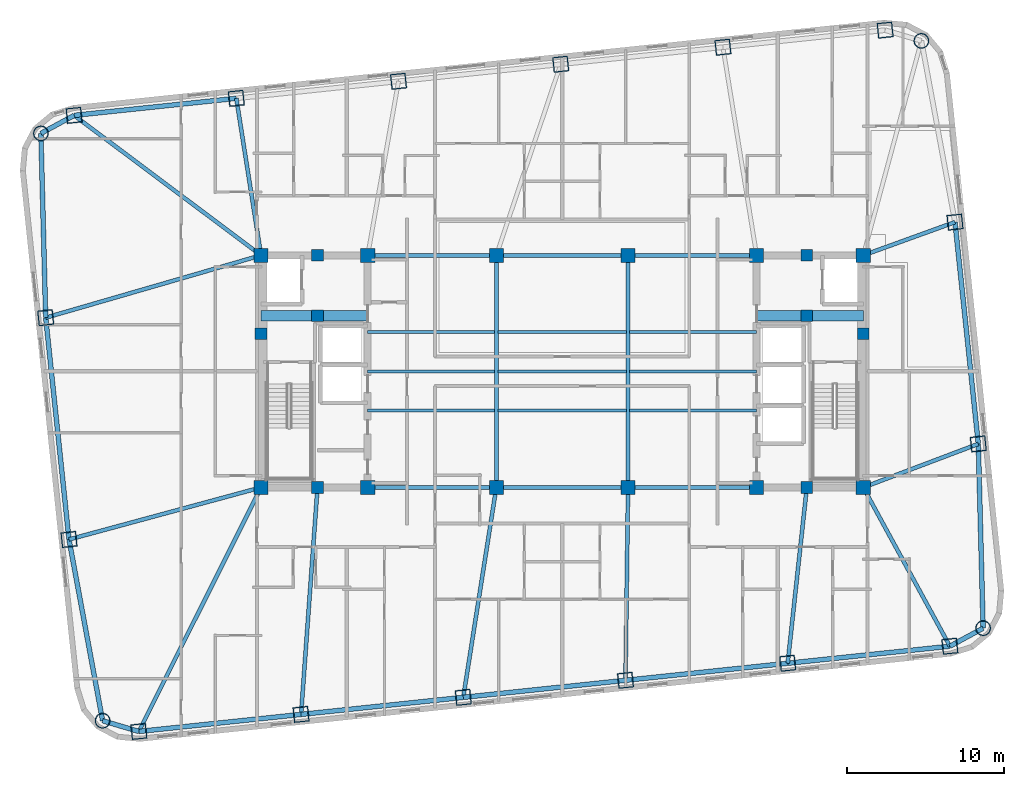
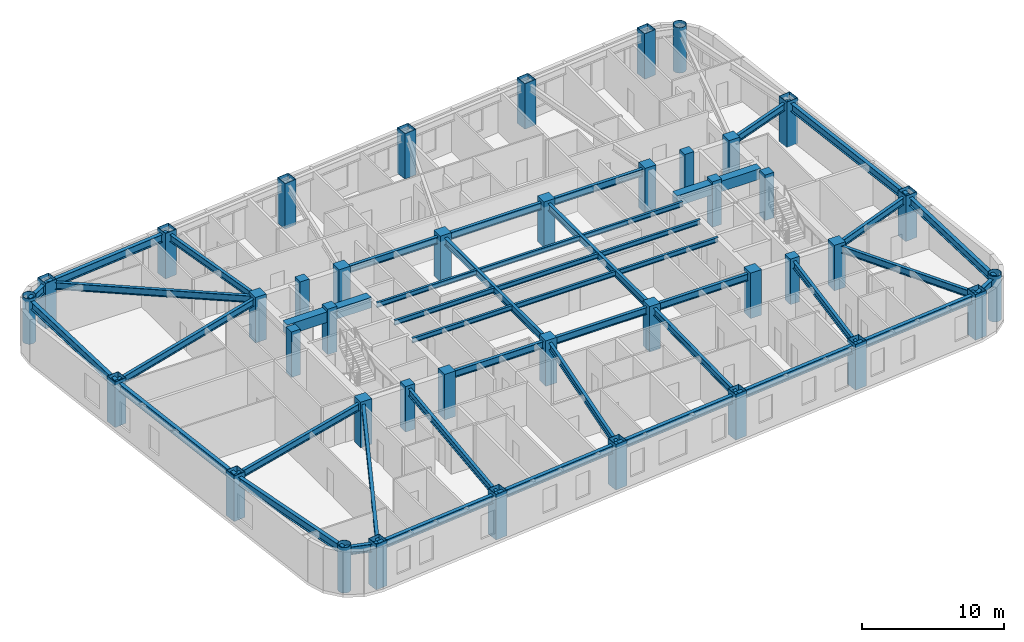
# One storey, part 1 of 11: 45 beams, 40 columns.
"""IFC4 building model written with IfcOpenShell, lengths in metres."""

from ifc_helpers import new_model, si_unit, direction, frame, origin, origin_2d, place, context, subcontext, project, spatial, rectangle, hollow_rectangle, hollow_circle, i_section, extrude, material, material_profile, profile_set, type_object, element, save


model = new_model("IFC4")

# Units and contexts
model_context = context("Model", 3, precision=1e-05, world=origin(), true_north=direction((0.0, 1.0)))
body_context = subcontext(model_context, "Body", "Model", "MODEL_VIEW")
ifc_project = project(units=[si_unit("LENGTHUNIT", "METRE"), si_unit("AREAUNIT", "SQUARE_METRE"), si_unit("VOLUMEUNIT", "CUBIC_METRE"), si_unit("PLANEANGLEUNIT", "RADIAN"), si_unit("MASSUNIT", "GRAM", prefix="KILO")], contexts=[model_context])

# Site, building, storey
site_placement = place(None, origin())
site = spatial("IfcSite", under=ifc_project, at=site_placement, CompositionType="ELEMENT")
building_placement = place(site_placement, origin())
building = spatial("IfcBuilding", under=site, at=building_placement, Name="Voryun Gate Residences", CompositionType="ELEMENT")
storey_placement = place(building_placement, frame((0.0, 0.0, 183.300048828125)))
storey = spatial("IfcBuildingStorey", under=building, at=storey_placement, Name="L45", CompositionType="ELEMENT", Elevation=183.300048828125)

# Columns
ifc_material_1 = material(Name="Concrete C50/60", Category="concrete")
ifc_material_profile_1 = material_profile(ifc_material_1, rectangle(XDim=0.75, YDim=0.75, at=origin_2d()), Name="RC-750x750")
ifc_profile_set_1 = profile_set([ifc_material_profile_1], Name="Concrete C50/60")
column_type_1 = type_object("IfcColumnType", Name="COL_CORE_750", PredefinedType="COLUMN", material=ifc_profile_set_1)
for number, where, z_axis, x_axis, name in (
    (1, (-19.199951171875, 2.39990234375, 0.0), (0.0, 0.0, 1.0), (1.0, 0.0, 0.0), "L45 Core boundary column WC-MW"),
    (2, (-15.60009765625, -7.39990234375, 0.0), (0.0, 0.0, 1.0), (1.0, 0.0, 0.0), "L45 Core boundary column WC-SM"),
    (3, (-15.60009765625, 7.39990234375, 0.0), (0.0, 0.0, 1.0), (1.0, 0.0, 0.0), "L45 Core boundary column WC-NM"),
    (4, (-15.60009765625, 3.550048828125, 0.0), (0.0, 0.0, 1.0), (1.0, 0.0, 0.0), "L45 Core boundary column WC-MM"),
    (5, (15.60009765625, 3.550048828125, 0.0), (0.0, 0.0, 1.0), (1.0, 0.0, 0.0), "L45 Core boundary column EC-MM"),
    (6, (15.60009765625, -7.39990234375, 0.0), (0.0, 0.0, 1.0), (1.0, 0.0, 0.0), "L45 Core boundary column EC-SM"),
    (7, (15.60009765625, 7.39990234375, 0.0), (0.0, 0.0, 1.0), (1.0, 0.0, 0.0), "L45 Core boundary column EC-NM"),
    (8, (19.199951171875, 2.39990234375, 0.0), (0.0, 0.0, 1.0), (1.0, 0.0, 0.0), "L45 Core boundary column EC-ME"),
):
    element("IfcColumn", number, at=place(storey_placement, frame(where, z_axis=z_axis, x_axis=x_axis)), inside=storey, type_object=column_type_1, Name=name, PredefinedType="COLUMN", context=body_context, shape_type="SweptSolid", body=[
        extrude(rectangle(XDim=0.75, YDim=0.75, at=origin_2d()), origin(), (0.0, 0.0, 1.0), 3.89990234375),
    ])
ifc_material_2 = material(Name="Concrete C50/60", Category="concrete")
ifc_material_profile_2 = material_profile(ifc_material_2, rectangle(XDim=0.89990234375, YDim=0.89990234375, at=origin_2d()), Name="RC-900x900")
ifc_profile_set_2 = profile_set([ifc_material_profile_2], Name="Concrete C50/60")
column_type_2 = type_object("IfcColumnType", Name="COL_CORE_900", PredefinedType="COLUMN", material=ifc_profile_set_2)
for number, where, z_axis, x_axis, name in (
    (9, (-19.199951171875, -7.39990234375, 0.0), (0.0, 0.0, 1.0), (1.0, 0.0, 0.0), "L45 Core boundary column WC-SW"),
    (10, (-19.199951171875, 7.39990234375, 0.0), (0.0, 0.0, 1.0), (1.0, 0.0, 0.0), "L45 Core boundary column WC-NW"),
    (11, (-12.39990234375, -7.39990234375, 0.0), (0.0, 0.0, 1.0), (1.0, 0.0, 0.0), "L45 Core boundary column WC-SE"),
    (12, (-12.39990234375, 7.39990234375, 0.0), (0.0, 0.0, 1.0), (1.0, 0.0, 0.0), "L45 Core boundary column WC-NE"),
    (13, (12.39990234375, -7.39990234375, 0.0), (0.0, 0.0, 1.0), (1.0, 0.0, 0.0), "L45 Core boundary column EC-SW"),
    (14, (12.39990234375, 7.39990234375, 0.0), (0.0, 0.0, 1.0), (1.0, 0.0, 0.0), "L45 Core boundary column EC-NW"),
    (15, (19.199951171875, -7.39990234375, 0.0), (0.0, 0.0, 1.0), (1.0, 0.0, 0.0), "L45 Core boundary column EC-SE"),
    (16, (19.199951171875, 7.39990234375, 0.0), (0.0, 0.0, 1.0), (1.0, 0.0, 0.0), "L45 Core boundary column EC-NE"),
    (17, (-4.199951171875, -7.39990234375, 0.0), (0.0, 0.0, 1.0), (1.0, 0.0, 0.0), "L45 Interior spine column SP-WS"),
    (18, (-4.199951171875, 7.39990234375, 0.0), (0.0, 0.0, 1.0), (1.0, 0.0, 0.0), "L45 Interior spine column SP-WN"),
    (19, (4.199951171875, -7.39990234375, 0.0), (0.0, 0.0, 1.0), (1.0, 0.0, 0.0), "L45 Interior spine column SP-ES"),
    (20, (4.199951171875, 7.39990234375, 0.0), (0.0, 0.0, 1.0), (1.0, 0.0, 0.0), "L45 Interior spine column SP-EN"),
):
    element("IfcColumn", number, at=place(storey_placement, frame(where, z_axis=z_axis, x_axis=x_axis)), inside=storey, type_object=column_type_2, Name=name, PredefinedType="COLUMN", context=body_context, shape_type="SweptSolid", body=[
        extrude(rectangle(XDim=0.89990234375, YDim=0.89990234375, at=origin_2d()), origin(), (0.0, 0.0, 1.0), 3.89990234375),
    ])
ifc_material_3 = material(Name="Steel SM420", Category="steel")
ifc_material_profile_3 = material_profile(ifc_material_3, hollow_circle(Radius=0.47509765625, WallThickness=0.031982421875, at=origin_2d()), Name="CHS-950x32")
ifc_profile_set_3 = profile_set([ifc_material_profile_3], Name="Steel SM420")
column_type_3 = type_object("IfcColumnType", Name="COL_CRN_950", PredefinedType="COLUMN", material=ifc_profile_set_3)
for number, where, z_axis, x_axis, name in (
    (21, (26.8408203125, -16.373779296875, 0.0), (0.0, 0.0, 1.0), (0.994521895368, 0.104528463268, 0.0), "L45 Exoskeleton column CSE"),
    (22, (22.90478515625, 21.07470703125, 0.0), (0.0, 0.0, 1.0), (0.994521895368, 0.104528463268, 0.0), "L45 Exoskeleton column CNE"),
    (23, (-33.24072265625, 15.173583984375, 0.0), (0.0, 0.0, 1.0), (0.994521895368, 0.104528463268, 0.0), "L45 Exoskeleton column CNW"),
    (24, (-29.3046875, -22.27490234375, 0.0), (0.0, 0.0, 1.0), (0.994521895368, 0.104528463268, 0.0), "L45 Exoskeleton column CSW"),
):
    element("IfcColumn", number, at=place(storey_placement, frame(where, z_axis=z_axis, x_axis=x_axis)), inside=storey, type_object=column_type_3, Name=name, PredefinedType="COLUMN", context=body_context, shape_type="SweptSolid", body=[
        extrude(hollow_circle(Radius=0.47509765625, WallThickness=0.031982421875, at=origin_2d()), origin(), (0.0, 0.0, 1.0), 3.89990234375),
    ])
ifc_material_4 = material(Name="Steel SM420", Category="steel")
ifc_material_profile_4 = material_profile(ifc_material_4, hollow_rectangle(XDim=0.949951171875, YDim=0.949951171875, WallThickness=0.031982421875, at=origin_2d()), Name="BOX-950x950x32")
ifc_profile_set_4 = profile_set([ifc_material_profile_4], Name="Steel SM420")
column_type_4 = type_object("IfcColumnType", Name="COL_EXO_B3", PredefinedType="COLUMN", material=ifc_profile_set_4)
for number, where, z_axis, x_axis, name in (
    (25, (-26.9931640625, -22.95947265625, 0.0), (0.0, 0.0, 1.0), (0.994521895368, 0.104528463268, 0.0), "L45 Exoskeleton column S1"),
    (26, (-16.650146484375, -21.87255859375, 0.0), (0.0, 0.0, 1.0), (0.994521895368, 0.104528463268, 0.0), "L45 Exoskeleton column S2"),
    (27, (-6.30712890625, -20.785400390625, 0.0), (0.0, 0.0, 1.0), (0.994521895368, 0.104528463268, 0.0), "L45 Exoskeleton column S3"),
    (28, (4.035888671875, -19.6982421875, 0.0), (0.0, 0.0, 1.0), (0.994521895368, 0.104528463268, 0.0), "L45 Exoskeleton column S4"),
    (29, (14.37890625, -18.611083984375, 0.0), (0.0, 0.0, 1.0), (0.994521895368, 0.104528463268, 0.0), "L45 Exoskeleton column S5"),
    (30, (24.721923828125, -17.524169921875, 0.0), (0.0, 0.0, 1.0), (0.994521895368, 0.104528463268, 0.0), "L45 Exoskeleton column S6"),
    (31, (26.533447265625, -4.6240234375, 0.0), (0.0, 0.0, 1.0), (0.994521895368, 0.104528463268, 0.0), "L45 Exoskeleton column E1"),
    (32, (25.047119140625, 9.51806640625, 0.0), (0.0, 0.0, 1.0), (0.994521895368, 0.104528463268, 0.0), "L45 Exoskeleton column E2"),
    (33, (20.593017578125, 21.759521484375, 0.0), (0.0, 0.0, 1.0), (0.994521895368, 0.104528463268, 0.0), "L45 Exoskeleton column N1"),
    (34, (10.25, 20.67236328125, 0.0), (0.0, 0.0, 1.0), (0.994521895368, 0.104528463268, 0.0), "L45 Exoskeleton column N2"),
    (35, (-0.093017578125, 19.58544921875, 0.0), (0.0, 0.0, 1.0), (0.994521895368, 0.104528463268, 0.0), "L45 Exoskeleton column N3"),
    (36, (-10.43603515625, 18.498291015625, 0.0), (0.0, 0.0, 1.0), (0.994521895368, 0.104528463268, 0.0), "L45 Exoskeleton column N4"),
    (37, (-20.779052734375, 17.4111328125, 0.0), (0.0, 0.0, 1.0), (0.994521895368, 0.104528463268, 0.0), "L45 Exoskeleton column N5"),
    (38, (-31.1220703125, 16.323974609375, 0.0), (0.0, 0.0, 1.0), (0.994521895368, 0.104528463268, 0.0), "L45 Exoskeleton column N6"),
    (39, (-32.93359375, 3.424072265625, 0.0), (0.0, 0.0, 1.0), (0.994521895368, 0.104528463268, 0.0), "L45 Exoskeleton column W1"),
    (40, (-31.447021484375, -10.718017578125, 0.0), (0.0, 0.0, 1.0), (0.994521895368, 0.104528463268, 0.0), "L45 Exoskeleton column W2"),
):
    element("IfcColumn", number, at=place(storey_placement, frame(where, z_axis=z_axis, x_axis=x_axis)), inside=storey, type_object=column_type_4, Name=name, PredefinedType="COLUMN", context=body_context, shape_type="SweptSolid", body=[
        extrude(hollow_rectangle(XDim=0.949951171875, YDim=0.949951171875, WallThickness=0.031982421875, at=origin_2d()), origin(), (0.0, 0.0, 1.0), 3.89990234375),
    ])

# Beams
ifc_material_5 = material(Name="Concrete C60/75", Category="concrete")
ifc_material_profile_5 = material_profile(ifc_material_5, rectangle(XDim=0.64990234375, YDim=0.89990234375, at=origin_2d()), Name="RC-650x900")
ifc_profile_set_5 = profile_set([ifc_material_profile_5], Name="Concrete C60/75")
beam_type_1 = type_object("IfcBeamType", Name="BM_COUP_RC900", PredefinedType="LINTEL", material=ifc_profile_set_5)
for number, where, z_axis, x_axis, name in (
    (41, (-19.199951171875, 3.550048828125, 3.199951171875), (1.0, 0.0, 0.0), (0.0, 1.0, 0.0), "BM-L45-WC1"),
    (42, (12.39990234375, 3.550048828125, 3.199951171875), (1.0, 0.0, 0.0), (0.0, 1.0, 0.0), "BM-L45-EC1"),
):
    element("IfcBeam", number, at=place(storey_placement, frame(where, z_axis=z_axis, x_axis=x_axis)), inside=storey, type_object=beam_type_1, Name=name, PredefinedType="LINTEL", context=body_context, shape_type="SweptSolid", body=[
        extrude(rectangle(XDim=0.64990234375, YDim=0.89990234375, at=origin_2d()), origin(), (0.0, 0.0, 1.0), 6.800048828125),
    ])
ifc_material_6 = material(Name="Steel SM355", Category="steel")
ifc_material_profile_6 = material_profile(ifc_material_6, i_section(OverallWidth=0.300048828125, OverallDepth=0.679931640625, WebThickness=0.013916015625, FlangeThickness=0.02490234375, FilletRadius=0.01806640625, at=origin_2d()), Name="H-680x300x14x25")
ifc_profile_set_6 = profile_set([ifc_material_profile_6], Name="Steel SM355")
beam_type_2 = type_object("IfcBeamType", Name="BM_EXO_SPANDREL_M", PredefinedType="SPANDREL", material=ifc_profile_set_6)
for number, where, z_axis, x_axis, name in (
    (43, (-26.9931640625, -22.95947265625, 3.31005859375), (0.99452370336, 0.10451125994, 0.0), (-0.10451125994, 0.99452370336, 0.0), "BM-L45-SPAND-01"),
    (44, (-16.650146484375, -21.87255859375, 3.31005859375), (0.994521263116, 0.104534478571, 0.0), (-0.104534478571, 0.994521263116, 0.0), "BM-L45-SPAND-02"),
    (45, (-6.30712890625, -20.785400390625, 3.31005859375), (0.994521263116, 0.104534478571, 0.0), (-0.104534478571, 0.994521263116, 0.0), "BM-L45-SPAND-03"),
    (46, (4.035888671875, -19.6982421875, 3.31005859375), (0.994521263116, 0.104534478571, 0.0), (-0.104534478571, 0.994521263116, 0.0), "BM-L45-SPAND-04"),
    (47, (14.37890625, -18.611083984375, 3.31005859375), (0.99452370336, 0.10451125994, 0.0), (-0.10451125994, 0.99452370336, 0.0), "BM-L45-SPAND-05"),
):
    element("IfcBeam", number, at=place(storey_placement, frame(where, z_axis=z_axis, x_axis=x_axis)), inside=storey, type_object=beam_type_2, Name=name, PredefinedType="SPANDREL", context=body_context, shape_type="SweptSolid", body=[
        extrude(i_section(OverallWidth=0.300048828125, OverallDepth=0.679931640625, WebThickness=0.013916015625, FlangeThickness=0.02490234375, FilletRadius=0.01806640625, at=origin_2d()), origin(), (0.0, 0.0, 1.0), 10.39990234375),
    ])
beam_1_placement = place(storey_placement, frame((24.721923828125, -17.524169921875, 3.31005859375), z_axis=(0.878830382314, 0.477134319791, 0.0), x_axis=(-0.477134319791, 0.878830382314, 0.0)))
element("IfcBeam", 48, at=beam_1_placement, inside=storey, type_object=beam_type_2, Name="BM-L45-SPAND-06", PredefinedType="SPANDREL", context=body_context, shape_type="SweptSolid", body=[
    extrude(i_section(OverallWidth=0.300048828125, OverallDepth=0.679931640625, WebThickness=0.013916015625, FlangeThickness=0.02490234375, FilletRadius=0.01806640625, at=origin_2d()), origin(), (0.0, 0.0, 1.0), 2.4111328125),
])
beam_2_placement = place(storey_placement, frame((26.8408203125, -16.373779296875, 3.31005859375), z_axis=(-0.026151005195, 0.999658003983, 0.0), x_axis=(-0.999658003983, -0.026151005195, 0.0)))
element("IfcBeam", 49, at=beam_2_placement, inside=storey, type_object=beam_type_2, Name="BM-L45-SPAND-07", PredefinedType="SPANDREL", context=body_context, shape_type="SweptSolid", body=[
    extrude(i_section(OverallWidth=0.300048828125, OverallDepth=0.679931640625, WebThickness=0.013916015625, FlangeThickness=0.02490234375, FilletRadius=0.01806640625, at=origin_2d()), origin(), (0.0, 0.0, 1.0), 11.753662109375),
])
beam_3_placement = place(storey_placement, frame((26.533447265625, -4.6240234375, 3.31005859375), z_axis=(-0.104523913446, 0.994522373563, 0.0), x_axis=(-0.994522373563, -0.104523913446, 0.0)))
element("IfcBeam", 50, at=beam_3_placement, inside=storey, type_object=beam_type_2, Name="BM-L45-SPAND-08", PredefinedType="SPANDREL", context=body_context, shape_type="SweptSolid", body=[
    extrude(i_section(OverallWidth=0.300048828125, OverallDepth=0.679931640625, WebThickness=0.013916015625, FlangeThickness=0.02490234375, FilletRadius=0.01806640625, at=origin_2d()), origin(), (0.0, 0.0, 1.0), 14.219970703125),
])
beam_4_placement = place(storey_placement, frame((-20.779052734375, 17.4111328125, 3.31005859375), z_axis=(-0.994521263116, -0.104534478571, 0.0), x_axis=(0.104534478571, -0.994521263116, 0.0)))
element("IfcBeam", 51, at=beam_4_placement, inside=storey, type_object=beam_type_2, Name="BM-L45-SPAND-15", PredefinedType="SPANDREL", context=body_context, shape_type="SweptSolid", body=[
    extrude(i_section(OverallWidth=0.300048828125, OverallDepth=0.679931640625, WebThickness=0.013916015625, FlangeThickness=0.02490234375, FilletRadius=0.01806640625, at=origin_2d()), origin(), (0.0, 0.0, 1.0), 10.39990234375),
])
beam_5_placement = place(storey_placement, frame((-31.1220703125, 16.323974609375, 3.31005859375), z_axis=(-0.878807326808, -0.47717678312, 0.0), x_axis=(0.47717678312, -0.878807326808, 0.0)))
element("IfcBeam", 52, at=beam_5_placement, inside=storey, type_object=beam_type_2, Name="BM-L45-SPAND-16", PredefinedType="SPANDREL", context=body_context, shape_type="SweptSolid", body=[
    extrude(i_section(OverallWidth=0.300048828125, OverallDepth=0.679931640625, WebThickness=0.013916015625, FlangeThickness=0.02490234375, FilletRadius=0.01806640625, at=origin_2d()), origin(), (0.0, 0.0, 1.0), 2.410888671875),
])
beam_6_placement = place(storey_placement, frame((-33.24072265625, 15.173583984375, 3.31005859375), z_axis=(0.026130790716, -0.999658532588, 0.0), x_axis=(0.999658532588, 0.026130790716, 0.0)))
element("IfcBeam", 53, at=beam_6_placement, inside=storey, type_object=beam_type_2, Name="BM-L45-SPAND-17", PredefinedType="SPANDREL", context=body_context, shape_type="SweptSolid", body=[
    extrude(i_section(OverallWidth=0.300048828125, OverallDepth=0.679931640625, WebThickness=0.013916015625, FlangeThickness=0.02490234375, FilletRadius=0.01806640625, at=origin_2d()), origin(), (0.0, 0.0, 1.0), 11.75341796875),
])
beam_7_placement = place(storey_placement, frame((-32.93359375, 3.424072265625, 3.31005859375), z_axis=(0.104540894669, -0.994520588697, 0.0), x_axis=(0.994520588697, 0.104540894669, 0.0)))
element("IfcBeam", 54, at=beam_7_placement, inside=storey, type_object=beam_type_2, Name="BM-L45-SPAND-18", PredefinedType="SPANDREL", context=body_context, shape_type="SweptSolid", body=[
    extrude(i_section(OverallWidth=0.300048828125, OverallDepth=0.679931640625, WebThickness=0.013916015625, FlangeThickness=0.02490234375, FilletRadius=0.01806640625, at=origin_2d()), origin(), (0.0, 0.0, 1.0), 14.219970703125),
])
beam_8_placement = place(storey_placement, frame((-31.447021484375, -10.718017578125, 3.31005859375), z_axis=(0.182267768769, -0.983248931079, 0.0), x_axis=(0.983248931079, 0.182267768769, 0.0)))
element("IfcBeam", 55, at=beam_8_placement, inside=storey, type_object=beam_type_2, Name="BM-L45-SPAND-19", PredefinedType="SPANDREL", context=body_context, shape_type="SweptSolid", body=[
    extrude(i_section(OverallWidth=0.300048828125, OverallDepth=0.679931640625, WebThickness=0.013916015625, FlangeThickness=0.02490234375, FilletRadius=0.01806640625, at=origin_2d()), origin(), (0.0, 0.0, 1.0), 11.753662109375),
])
beam_9_placement = place(storey_placement, frame((-29.3046875, -22.27490234375, 3.31005859375), z_axis=(0.958834884093, -0.283964196768, 0.0), x_axis=(0.283964196768, 0.958834884093, 0.0)))
element("IfcBeam", 56, at=beam_9_placement, inside=storey, type_object=beam_type_2, Name="BM-L45-SPAND-20", PredefinedType="SPANDREL", context=body_context, shape_type="SweptSolid", body=[
    extrude(i_section(OverallWidth=0.300048828125, OverallDepth=0.679931640625, WebThickness=0.013916015625, FlangeThickness=0.02490234375, FilletRadius=0.01806640625, at=origin_2d()), origin(), (0.0, 0.0, 1.0), 2.41064453125),
])
ifc_material_7 = material(Name="Steel SM355", Category="steel")
ifc_material_profile_7 = material_profile(ifc_material_7, i_section(OverallWidth=0.25, OverallDepth=0.60009765625, WebThickness=0.011962890625, FlangeThickness=0.02197265625, FilletRadius=0.01806640625, at=origin_2d()), Name="H-600x250x12x22")
ifc_profile_set_7 = profile_set([ifc_material_profile_7], Name="Steel SM355")
beam_type_3 = type_object("IfcBeamType", Name="BM_GIRD_600", PredefinedType="USERDEFINED", material=ifc_profile_set_7)
beam_10_placement = place(storey_placement, frame((-12.39990234375, -7.39990234375, 3.349853515625), z_axis=(1.0, 0.0, 0.0), x_axis=(0.0, 1.0, 0.0)))
element("IfcBeam", 57, at=beam_10_placement, inside=storey, type_object=beam_type_3, Name="BM-L45-SPG1-S", ObjectType="GIRDER", PredefinedType="USERDEFINED", context=body_context, shape_type="SweptSolid", body=[
    extrude(i_section(OverallWidth=0.25, OverallDepth=0.60009765625, WebThickness=0.011962890625, FlangeThickness=0.02197265625, FilletRadius=0.01806640625, at=origin_2d()), origin(), (0.0, 0.0, 1.0), 8.199951171875),
])
beam_11_placement = place(storey_placement, frame((-4.199951171875, -7.39990234375, 3.349853515625), z_axis=(1.0, 0.0, 0.0), x_axis=(0.0, 1.0, 0.0)))
element("IfcBeam", 58, at=beam_11_placement, inside=storey, type_object=beam_type_3, Name="BM-L45-SPG2-S", ObjectType="GIRDER", PredefinedType="USERDEFINED", context=body_context, shape_type="SweptSolid", body=[
    extrude(i_section(OverallWidth=0.25, OverallDepth=0.60009765625, WebThickness=0.011962890625, FlangeThickness=0.02197265625, FilletRadius=0.01806640625, at=origin_2d()), origin(), (0.0, 0.0, 1.0), 8.39990234375),
])
for number, where, z_axis, x_axis, name in (
    (59, (4.199951171875, -7.39990234375, 3.349853515625), (1.0, 0.0, 0.0), (0.0, 1.0, 0.0), "BM-L45-SPG3-S"),
    (60, (-12.39990234375, 7.39990234375, 3.349853515625), (1.0, 0.0, 0.0), (0.0, 1.0, 0.0), "BM-L45-SPG1-N"),
):
    element("IfcBeam", number, at=place(storey_placement, frame(where, z_axis=z_axis, x_axis=x_axis)), inside=storey, type_object=beam_type_3, Name=name, ObjectType="GIRDER", PredefinedType="USERDEFINED", context=body_context, shape_type="SweptSolid", body=[
        extrude(i_section(OverallWidth=0.25, OverallDepth=0.60009765625, WebThickness=0.011962890625, FlangeThickness=0.02197265625, FilletRadius=0.01806640625, at=origin_2d()), origin(), (0.0, 0.0, 1.0), 8.199951171875),
    ])
beam_12_placement = place(storey_placement, frame((-4.199951171875, 7.39990234375, 3.349853515625), z_axis=(1.0, 0.0, 0.0), x_axis=(0.0, 1.0, 0.0)))
element("IfcBeam", 61, at=beam_12_placement, inside=storey, type_object=beam_type_3, Name="BM-L45-SPG2-N", ObjectType="GIRDER", PredefinedType="USERDEFINED", context=body_context, shape_type="SweptSolid", body=[
    extrude(i_section(OverallWidth=0.25, OverallDepth=0.60009765625, WebThickness=0.011962890625, FlangeThickness=0.02197265625, FilletRadius=0.01806640625, at=origin_2d()), origin(), (0.0, 0.0, 1.0), 8.39990234375),
])
beam_13_placement = place(storey_placement, frame((4.199951171875, 7.39990234375, 3.349853515625), z_axis=(1.0, 0.0, 0.0), x_axis=(0.0, 1.0, 0.0)))
element("IfcBeam", 62, at=beam_13_placement, inside=storey, type_object=beam_type_3, Name="BM-L45-SPG3-N", ObjectType="GIRDER", PredefinedType="USERDEFINED", context=body_context, shape_type="SweptSolid", body=[
    extrude(i_section(OverallWidth=0.25, OverallDepth=0.60009765625, WebThickness=0.011962890625, FlangeThickness=0.02197265625, FilletRadius=0.01806640625, at=origin_2d()), origin(), (0.0, 0.0, 1.0), 8.199951171875),
])
for number, where, z_axis, x_axis, name in (
    (63, (-4.199951171875, -7.39990234375, 3.349853515625), (0.0, 1.0, 0.0), (-1.0, 0.0, 0.0), "BM-L45-SPX-W"),
    (64, (4.199951171875, -7.39990234375, 3.349853515625), (0.0, 1.0, 0.0), (-1.0, 0.0, 0.0), "BM-L45-SPX-E"),
):
    element("IfcBeam", number, at=place(storey_placement, frame(where, z_axis=z_axis, x_axis=x_axis)), inside=storey, type_object=beam_type_3, Name=name, ObjectType="GIRDER", PredefinedType="USERDEFINED", context=body_context, shape_type="SweptSolid", body=[
        extrude(i_section(OverallWidth=0.25, OverallDepth=0.60009765625, WebThickness=0.011962890625, FlangeThickness=0.02197265625, FilletRadius=0.01806640625, at=origin_2d()), origin(), (0.0, 0.0, 1.0), 14.7998046875),
    ])
beam_14_placement = place(storey_placement, frame((-19.199951171875, -7.39990234375, 3.349853515625), z_axis=(-0.447830780254, -0.894118332357, 0.0), x_axis=(0.894118332357, -0.447830780254, 0.0)))
element("IfcBeam", 65, at=beam_14_placement, inside=storey, type_object=beam_type_3, Name="BM-L45-RAD-S1", ObjectType="GIRDER", PredefinedType="USERDEFINED", context=body_context, shape_type="SweptSolid", body=[
    extrude(i_section(OverallWidth=0.25, OverallDepth=0.60009765625, WebThickness=0.011962890625, FlangeThickness=0.02197265625, FilletRadius=0.01806640625, at=origin_2d()), origin(), (0.0, 0.0, 1.0), 17.402099609375),
])
beam_15_placement = place(storey_placement, frame((-15.60009765625, -7.39990234375, 3.349853515625), z_axis=(-0.072363766769, -0.99737830599, 0.0), x_axis=(0.99737830599, -0.072363766769, 0.0)))
element("IfcBeam", 66, at=beam_15_placement, inside=storey, type_object=beam_type_3, Name="BM-L45-RAD-S2", ObjectType="GIRDER", PredefinedType="USERDEFINED", context=body_context, shape_type="SweptSolid", body=[
    extrude(i_section(OverallWidth=0.25, OverallDepth=0.60009765625, WebThickness=0.011962890625, FlangeThickness=0.02197265625, FilletRadius=0.01806640625, at=origin_2d()), origin(), (0.0, 0.0, 1.0), 14.5107421875),
])
beam_16_placement = place(storey_placement, frame((-4.199951171875, -7.39990234375, 3.349853515625), z_axis=(-0.155507352157, -0.987834734875, 0.0), x_axis=(0.987834734875, -0.155507352157, 0.0)))
element("IfcBeam", 67, at=beam_16_placement, inside=storey, type_object=beam_type_3, Name="BM-L45-RAD-S3", ObjectType="GIRDER", PredefinedType="USERDEFINED", context=body_context, shape_type="SweptSolid", body=[
    extrude(i_section(OverallWidth=0.25, OverallDepth=0.60009765625, WebThickness=0.011962890625, FlangeThickness=0.02197265625, FilletRadius=0.01806640625, at=origin_2d()), origin(), (0.0, 0.0, 1.0), 13.55029296875),
])
beam_17_placement = place(storey_placement, frame((4.199951171875, -7.39990234375, 3.349853515625), z_axis=(-0.013339028327, -0.999911031204, 0.0), x_axis=(0.999911031204, -0.013339028327, 0.0)))
element("IfcBeam", 68, at=beam_17_placement, inside=storey, type_object=beam_type_3, Name="BM-L45-RAD-S4", ObjectType="GIRDER", PredefinedType="USERDEFINED", context=body_context, shape_type="SweptSolid", body=[
    extrude(i_section(OverallWidth=0.25, OverallDepth=0.60009765625, WebThickness=0.011962890625, FlangeThickness=0.02197265625, FilletRadius=0.01806640625, at=origin_2d()), origin(), (0.0, 0.0, 1.0), 12.29931640625),
])
beam_18_placement = place(storey_placement, frame((15.60009765625, -7.39990234375, 3.349853515625), z_axis=(-0.108285693252, -0.994119816037, 0.0), x_axis=(0.994119816037, -0.108285693252, 0.0)))
element("IfcBeam", 69, at=beam_18_placement, inside=storey, type_object=beam_type_3, Name="BM-L45-RAD-S5", ObjectType="GIRDER", PredefinedType="USERDEFINED", context=body_context, shape_type="SweptSolid", body=[
    extrude(i_section(OverallWidth=0.25, OverallDepth=0.60009765625, WebThickness=0.011962890625, FlangeThickness=0.02197265625, FilletRadius=0.01806640625, at=origin_2d()), origin(), (0.0, 0.0, 1.0), 11.277587890625),
])
beam_19_placement = place(storey_placement, frame((19.199951171875, -7.39990234375, 3.349853515625), z_axis=(0.478828398266, -0.877908517451, 0.0), x_axis=(0.877908517451, 0.478828398266, 0.0)))
element("IfcBeam", 70, at=beam_19_placement, inside=storey, type_object=beam_type_3, Name="BM-L45-RAD-S6", ObjectType="GIRDER", PredefinedType="USERDEFINED", context=body_context, shape_type="SweptSolid", body=[
    extrude(i_section(OverallWidth=0.25, OverallDepth=0.60009765625, WebThickness=0.011962890625, FlangeThickness=0.02197265625, FilletRadius=0.01806640625, at=origin_2d()), origin(), (0.0, 0.0, 1.0), 11.5322265625),
])
beam_20_placement = place(storey_placement, frame((19.199951171875, -7.39990234375, 3.349853515625), z_axis=(0.93524224301, 0.354008399462, 0.0), x_axis=(-0.354008399462, 0.93524224301, 0.0)))
element("IfcBeam", 71, at=beam_20_placement, inside=storey, type_object=beam_type_3, Name="BM-L45-RAD-E1", ObjectType="GIRDER", PredefinedType="USERDEFINED", context=body_context, shape_type="SweptSolid", body=[
    extrude(i_section(OverallWidth=0.25, OverallDepth=0.60009765625, WebThickness=0.011962890625, FlangeThickness=0.02197265625, FilletRadius=0.01806640625, at=origin_2d()), origin(), (0.0, 0.0, 1.0), 7.84130859375),
])
beam_21_placement = place(storey_placement, frame((19.199951171875, 7.39990234375, 3.349853515625), z_axis=(0.94020993833, 0.340595466595, 0.0), x_axis=(-0.340595466595, 0.94020993833, 0.0)))
element("IfcBeam", 72, at=beam_21_placement, inside=storey, type_object=beam_type_3, Name="BM-L45-RAD-E2", ObjectType="GIRDER", PredefinedType="USERDEFINED", context=body_context, shape_type="SweptSolid", body=[
    extrude(i_section(OverallWidth=0.25, OverallDepth=0.60009765625, WebThickness=0.011962890625, FlangeThickness=0.02197265625, FilletRadius=0.01806640625, at=origin_2d()), origin(), (0.0, 0.0, 1.0), 6.218994140625),
])
beam_22_placement = place(storey_placement, frame((-19.199951171875, 7.39990234375, 3.349853515625), z_axis=(-0.155806710133, 0.987787562727, 0.0), x_axis=(-0.987787562727, -0.155806710133, 0.0)))
element("IfcBeam", 73, at=beam_22_placement, inside=storey, type_object=beam_type_3, Name="BM-L45-RAD-N5", ObjectType="GIRDER", PredefinedType="USERDEFINED", context=body_context, shape_type="SweptSolid", body=[
    extrude(i_section(OverallWidth=0.25, OverallDepth=0.60009765625, WebThickness=0.011962890625, FlangeThickness=0.02197265625, FilletRadius=0.01806640625, at=origin_2d()), origin(), (0.0, 0.0, 1.0), 10.135009765625),
])
beam_23_placement = place(storey_placement, frame((-19.199951171875, 7.39990234375, 3.349853515625), z_axis=(-0.800564252374, 0.599246925583, 0.0), x_axis=(-0.599246925583, -0.800564252374, 0.0)))
element("IfcBeam", 74, at=beam_23_placement, inside=storey, type_object=beam_type_3, Name="BM-L45-RAD-N6", ObjectType="GIRDER", PredefinedType="USERDEFINED", context=body_context, shape_type="SweptSolid", body=[
    extrude(i_section(OverallWidth=0.25, OverallDepth=0.60009765625, WebThickness=0.011962890625, FlangeThickness=0.02197265625, FilletRadius=0.01806640625, at=origin_2d()), origin(), (0.0, 0.0, 1.0), 14.89208984375),
])
beam_24_placement = place(storey_placement, frame((-19.199951171875, 7.39990234375, 3.349853515625), z_axis=(-0.960558623239, -0.278077563498, 0.0), x_axis=(0.278077563498, -0.960558623239, 0.0)))
element("IfcBeam", 75, at=beam_24_placement, inside=storey, type_object=beam_type_3, Name="BM-L45-RAD-W1", ObjectType="GIRDER", PredefinedType="USERDEFINED", context=body_context, shape_type="SweptSolid", body=[
    extrude(i_section(OverallWidth=0.25, OverallDepth=0.60009765625, WebThickness=0.011962890625, FlangeThickness=0.02197265625, FilletRadius=0.01806640625, at=origin_2d()), origin(), (0.0, 0.0, 1.0), 14.297607421875),
])
beam_25_placement = place(storey_placement, frame((-19.199951171875, -7.39990234375, 3.349853515625), z_axis=(-0.965202497616, -0.261503611058, 0.0), x_axis=(0.261503611058, -0.965202497616, 0.0)))
element("IfcBeam", 76, at=beam_25_placement, inside=storey, type_object=beam_type_3, Name="BM-L45-RAD-W2", ObjectType="GIRDER", PredefinedType="USERDEFINED", context=body_context, shape_type="SweptSolid", body=[
    extrude(i_section(OverallWidth=0.25, OverallDepth=0.60009765625, WebThickness=0.011962890625, FlangeThickness=0.02197265625, FilletRadius=0.01806640625, at=origin_2d()), origin(), (0.0, 0.0, 1.0), 12.688720703125),
])
ifc_material_8 = material(Name="Steel SM355", Category="steel")
ifc_material_profile_8 = material_profile(ifc_material_8, i_section(OverallWidth=0.18994140625, OverallDepth=0.419921875, WebThickness=0.009033203125, FlangeThickness=0.01611328125, FilletRadius=0.01806640625, at=origin_2d()), Name="H-420x190x9x16")
ifc_profile_set_8 = profile_set([ifc_material_profile_8], Name="Steel SM355")
beam_type_4 = type_object("IfcBeamType", Name="BM_SEC_420", PredefinedType="BEAM", material=ifc_profile_set_8)
beam_26_placement = place(storey_placement, frame((-12.39990234375, -2.5, 3.43994140625), z_axis=(1.0, 0.0, 0.0), x_axis=(0.0, 1.0, 0.0)))
element("IfcBeam", 77, at=beam_26_placement, inside=storey, type_object=beam_type_4, Name="BM-L45-SEC-CS1", PredefinedType="BEAM", context=body_context, shape_type="SweptSolid", body=[
    extrude(i_section(OverallWidth=0.18994140625, OverallDepth=0.419921875, WebThickness=0.009033203125, FlangeThickness=0.01611328125, FilletRadius=0.01806640625, at=origin_2d()), origin(), (0.0, 0.0, 1.0), 8.099853515625),
])
beam_27_placement = place(storey_placement, frame((-4.10009765625, -2.5, 3.43994140625), z_axis=(1.0, 0.0, 0.0), x_axis=(0.0, 1.0, 0.0)))
element("IfcBeam", 78, at=beam_27_placement, inside=storey, type_object=beam_type_4, Name="BM-L45-SEC-CS2", PredefinedType="BEAM", context=body_context, shape_type="SweptSolid", body=[
    extrude(i_section(OverallWidth=0.18994140625, OverallDepth=0.419921875, WebThickness=0.009033203125, FlangeThickness=0.01611328125, FilletRadius=0.01806640625, at=origin_2d()), origin(), (0.0, 0.0, 1.0), 8.2001953125),
])
for number, where, z_axis, x_axis, name in (
    (79, (4.300048828125, -2.5, 3.43994140625), (1.0, 0.0, 0.0), (0.0, 1.0, 0.0), "BM-L45-SEC-CS3"),
    (80, (-12.39990234375, 0.0, 3.43994140625), (1.0, 0.0, 0.0), (0.0, 1.0, 0.0), "BM-L45-SEC-CM1"),
):
    element("IfcBeam", number, at=place(storey_placement, frame(where, z_axis=z_axis, x_axis=x_axis)), inside=storey, type_object=beam_type_4, Name=name, PredefinedType="BEAM", context=body_context, shape_type="SweptSolid", body=[
        extrude(i_section(OverallWidth=0.18994140625, OverallDepth=0.419921875, WebThickness=0.009033203125, FlangeThickness=0.01611328125, FilletRadius=0.01806640625, at=origin_2d()), origin(), (0.0, 0.0, 1.0), 8.099853515625),
    ])
beam_28_placement = place(storey_placement, frame((-4.10009765625, 0.0, 3.43994140625), z_axis=(1.0, 0.0, 0.0), x_axis=(0.0, 1.0, 0.0)))
element("IfcBeam", 81, at=beam_28_placement, inside=storey, type_object=beam_type_4, Name="BM-L45-SEC-CM2", PredefinedType="BEAM", context=body_context, shape_type="SweptSolid", body=[
    extrude(i_section(OverallWidth=0.18994140625, OverallDepth=0.419921875, WebThickness=0.009033203125, FlangeThickness=0.01611328125, FilletRadius=0.01806640625, at=origin_2d()), origin(), (0.0, 0.0, 1.0), 8.2001953125),
])
for number, where, z_axis, x_axis, name in (
    (82, (4.300048828125, 0.0, 3.43994140625), (1.0, 0.0, 0.0), (0.0, 1.0, 0.0), "BM-L45-SEC-CM3"),
    (83, (-12.39990234375, 2.5, 3.43994140625), (1.0, 0.0, 0.0), (0.0, 1.0, 0.0), "BM-L45-SEC-CN1"),
):
    element("IfcBeam", number, at=place(storey_placement, frame(where, z_axis=z_axis, x_axis=x_axis)), inside=storey, type_object=beam_type_4, Name=name, PredefinedType="BEAM", context=body_context, shape_type="SweptSolid", body=[
        extrude(i_section(OverallWidth=0.18994140625, OverallDepth=0.419921875, WebThickness=0.009033203125, FlangeThickness=0.01611328125, FilletRadius=0.01806640625, at=origin_2d()), origin(), (0.0, 0.0, 1.0), 8.099853515625),
    ])
beam_29_placement = place(storey_placement, frame((-4.10009765625, 2.5, 3.43994140625), z_axis=(1.0, 0.0, 0.0), x_axis=(0.0, 1.0, 0.0)))
element("IfcBeam", 84, at=beam_29_placement, inside=storey, type_object=beam_type_4, Name="BM-L45-SEC-CN2", PredefinedType="BEAM", context=body_context, shape_type="SweptSolid", body=[
    extrude(i_section(OverallWidth=0.18994140625, OverallDepth=0.419921875, WebThickness=0.009033203125, FlangeThickness=0.01611328125, FilletRadius=0.01806640625, at=origin_2d()), origin(), (0.0, 0.0, 1.0), 8.2001953125),
])
beam_30_placement = place(storey_placement, frame((4.300048828125, 2.5, 3.43994140625), z_axis=(1.0, 0.0, 0.0), x_axis=(0.0, 1.0, 0.0)))
element("IfcBeam", 85, at=beam_30_placement, inside=storey, type_object=beam_type_4, Name="BM-L45-SEC-CN3", PredefinedType="BEAM", context=body_context, shape_type="SweptSolid", body=[
    extrude(i_section(OverallWidth=0.18994140625, OverallDepth=0.419921875, WebThickness=0.009033203125, FlangeThickness=0.01611328125, FilletRadius=0.01806640625, at=origin_2d()), origin(), (0.0, 0.0, 1.0), 8.099853515625),
])

save(model, "model.ifc")
